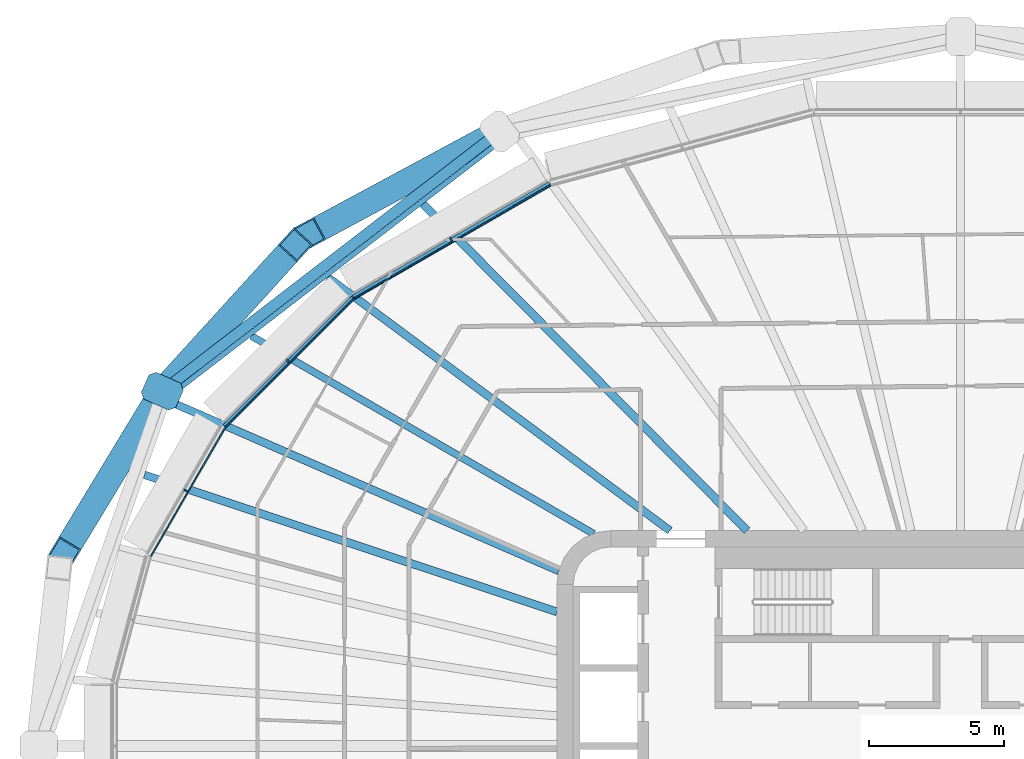
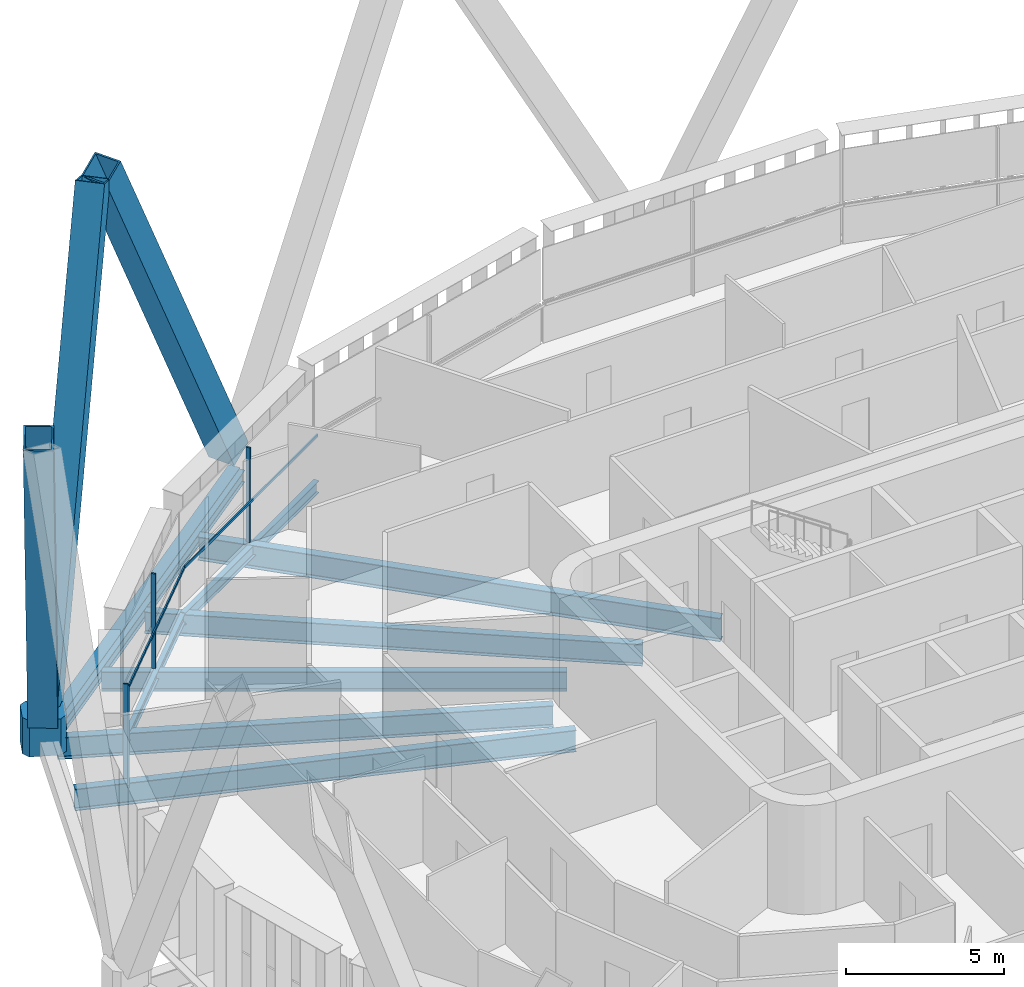
# One storey, part 7 of 25: 10 members, 9 beams, 3 elements without a shape of their own.
"""IFC4 building model written with IfcOpenShell, lengths in metres."""

from ifc_helpers import new_model, si_unit, direction, frame, origin, origin_2d, place, context, subcontext, project, spatial, polyline, rectangle, hollow_rectangle, i_section, outline, extrude, material, layer, layer_set, material_profile, profile_set, type_object, element, aggregate, save


model = new_model("IFC4")

# Units and contexts
model_context = context("Model", 3, precision=1e-05, world=origin(), true_north=direction((0.0, 1.0)))
body_context = subcontext(model_context, "Body", "Model", "MODEL_VIEW")
ifc_project = project(units=[si_unit("LENGTHUNIT", "METRE"), si_unit("AREAUNIT", "SQUARE_METRE"), si_unit("VOLUMEUNIT", "CUBIC_METRE"), si_unit("PLANEANGLEUNIT", "RADIAN"), si_unit("MASSUNIT", "GRAM", prefix="KILO")], contexts=[model_context])

# Site, building, storey
site_placement = place(None, origin())
site = spatial("IfcSite", under=ifc_project, at=site_placement, CompositionType="ELEMENT")
building_placement = place(site_placement, origin())
building = spatial("IfcBuilding", under=site, at=building_placement, Name="Sahrelin Media Tower", CompositionType="ELEMENT")
storey_placement = place(building_placement, frame((0.0, 0.0, 79.800048828125)))
storey = spatial("IfcBuildingStorey", under=building, at=storey_placement, Name="L14", CompositionType="ELEMENT", Elevation=79.800048828125)

# Members
ifc_material_1 = material(Name="Steel S460", Category="steel")
ifc_material_profile_1 = material_profile(ifc_material_1, hollow_rectangle(XDim=0.949951171875, YDim=0.949951171875, WallThickness=0.054931640625, at=origin_2d()), Name="Diagrid diagonal DG2")
ifc_profile_set_1 = profile_set([ifc_material_profile_1], Name="Steel S460")
member_type_1 = type_object("IfcMemberType", Name="Diagrid diagonal DG2", PredefinedType="BRACE", material=ifc_profile_set_1)
member_1_placement = place(storey_placement, frame((-17.43359375, 22.66650390625, 0.699951171875), z_axis=(-0.392849086991, -0.211661810358, 0.894912773898), x_axis=(0.474321630663, -0.880351629001, 0.0)))
element("IfcMember", 1, at=member_1_placement, inside=storey, type_object=member_type_1, Name="Diagrid diagonal D02-08", PredefinedType="BRACE", context=body_context, shape_type="SweptSolid", body=[
    extrude(hollow_rectangle(XDim=0.949951171875, YDim=0.949951171875, WallThickness=0.054931640625, at=origin_2d()), origin(), (0.0, 0.0, 1.0), 17.208251953125),
])
member_2_placement = place(storey_placement, frame((-29.448486328125, 13.41845703125, 0.699951171875), z_axis=(0.279512782361, 0.30735879086, 0.90961705029), x_axis=(-0.739825407154, 0.672798905267, 0.0)))
element("IfcMember", 2, at=member_2_placement, inside=storey, type_object=member_type_1, Name="Diagrid diagonal D02-09", PredefinedType="BRACE", context=body_context, shape_type="SweptSolid", body=[
    extrude(hollow_rectangle(XDim=0.949951171875, YDim=0.949951171875, WallThickness=0.054931640625, at=origin_2d()), origin(), (0.0, 0.0, 1.0), 16.93017578125),
])
member_3_placement = place(storey_placement, frame((-29.822265625, 12.92041015625, 0.699951171875), z_axis=(-0.207569611633, -0.342492038175, 0.916304567332), x_axis=(0.855199293174, -0.518299304413, 0.0)))
element("IfcMember", 3, at=member_3_placement, inside=storey, type_object=member_type_1, Name="Diagrid diagonal D02-10", PredefinedType="BRACE", context=body_context, shape_type="SweptSolid", body=[
    extrude(hollow_rectangle(XDim=0.949951171875, YDim=0.949951171875, WallThickness=0.054931640625, at=origin_2d()), origin(), (0.0, 0.0, 1.0), 16.806640625),
])
ifc_material_profile_2 = material_profile(ifc_material_1, outline(polyline([(0.5, -0.550048828125), (0.699951171875, -0.35009765625), (0.699951171875, 0.35009765625), (0.5, 0.550048828125), (-0.5, 0.550048828125), (-0.699951171875, 0.35009765625), (-0.699951171875, -0.35009765625), (-0.5, -0.550048828125), (0.5, -0.550048828125)])), Name="Diagrid node block 1400")
ifc_profile_set_2 = profile_set([ifc_material_profile_2], Name="Steel S460")
member_type_2 = type_object("IfcMemberType", Name="Diagrid node block 1400", PredefinedType="USERDEFINED", material=ifc_profile_set_2)
member_4_placement = place(storey_placement, frame((-29.66357421875, 13.181884765625, -0.699951171875), z_axis=(0.0, 0.0, 1.0), x_axis=(-0.913832734584, 0.406090794285, 0.0)))
element("IfcMember", 4, at=member_4_placement, inside=storey, type_object=member_type_2, Name="Diagrid node N02-05", ObjectType="NODE", PredefinedType="USERDEFINED", context=body_context, shape_type="SweptSolid", body=[
    extrude(outline(polyline([(0.5, -0.550048828125), (0.699951171875, -0.35009765625), (0.699951171875, 0.35009765625), (0.5, 0.550048828125), (-0.5, 0.550048828125), (-0.699951171875, 0.35009765625), (-0.699951171875, -0.35009765625), (-0.5, -0.550048828125), (0.5, -0.550048828125)])), origin(), (0.0, 0.0, 1.0), 1.39990234375),
])

# Beams
ifc_material_profile_3 = material_profile(ifc_material_1, hollow_rectangle(XDim=0.39990234375, YDim=0.60009765625, WallThickness=0.030029296875, at=origin_2d()), Name="Diagrid ring beam RB1")
ifc_profile_set_3 = profile_set([ifc_material_profile_3], Name="Steel S460")
beam_type_1 = type_object("IfcBeamType", Name="Diagrid ring beam RB1", PredefinedType="BEAM", material=ifc_profile_set_3)
beam_1_placement = place(storey_placement, frame((-17.126220703125, 22.83203125, -0.449951171875), z_axis=(-0.792439810802, -0.609950117843, 0.0), x_axis=(0.609950117843, -0.792439810802, 0.0)))
element("IfcBeam", 5, at=beam_1_placement, inside=storey, type_object=beam_type_1, Name="Diagrid ring beam RB02-04", PredefinedType="BEAM", context=body_context, shape_type="SweptSolid", body=[
    extrude(hollow_rectangle(XDim=0.39990234375, YDim=0.60009765625, WallThickness=0.030029296875, at=origin_2d()), origin(), (0.0, 0.0, 1.0), 15.8212890625),
])
ifc_material_2 = material(Name="Steel S355", Category="steel")
ifc_material_profile_4 = material_profile(ifc_material_2, i_section(OverallWidth=0.17138671875, OverallDepth=0.35498046875, WebThickness=0.00732421875, FlangeThickness=0.011474609375, FilletRadius=0.01025390625, at=origin_2d()), Name="UB 356x171x51")
ifc_profile_set_4 = profile_set([ifc_material_profile_4], Name="Steel S355")
beam_type_2 = type_object("IfcBeamType", Name="Edge beam EB3", PredefinedType="BEAM", material=ifc_profile_set_4)
beam_2_placement = place(storey_placement, frame((-27.34521484375, 11.883056640625, -0.32763671875), z_axis=(0.707106781187, 0.707106781187, 0.0), x_axis=(-0.707106781187, 0.707106781187, 0.0)))
element("IfcBeam", 6, at=beam_2_placement, inside=storey, type_object=beam_type_2, Name="Edge beam L14-16", PredefinedType="BEAM", context=body_context, shape_type="SweptSolid", body=[
    extrude(i_section(OverallWidth=0.17138671875, OverallDepth=0.35498046875, WebThickness=0.00732421875, FlangeThickness=0.011474609375, FilletRadius=0.01025390625, at=origin_2d()), origin(), (0.0, 0.0, 1.0), 6.743408203125),
])
ifc_material_profile_5 = material_profile(ifc_material_2, i_section(OverallWidth=0.1904296875, OverallDepth=0.45703125, WebThickness=0.009033203125, FlangeThickness=0.014404296875, FilletRadius=0.01025390625, at=origin_2d()), Name="UB 457x191x74")
ifc_profile_set_5 = profile_set([ifc_material_profile_5], Name="Steel S355")
beam_type_3 = type_object("IfcBeamType", Name="Edge beam EB5", PredefinedType="BEAM", material=ifc_profile_set_5)
beam_3_placement = place(storey_placement, frame((-22.55419921875, 16.6689453125, -0.378662109375), z_axis=(0.866028760111, 0.499994186627, 0.0), x_axis=(-0.499994186627, 0.866028760111, 0.0)))
element("IfcBeam", 7, at=beam_3_placement, inside=storey, type_object=beam_type_3, Name="Edge beam L14-17", PredefinedType="BEAM", context=body_context, shape_type="SweptSolid", body=[
    extrude(i_section(OverallWidth=0.1904296875, OverallDepth=0.45703125, WebThickness=0.009033203125, FlangeThickness=0.014404296875, FilletRadius=0.01025390625, at=origin_2d()), origin(), (0.0, 0.0, 1.0), 8.42529296875),
])

# Curtain wall, member
ifc_material_3 = material(Name="Champagne anodised aluminium 6063-T6", Category="aluminium")
ifc_layer = layer(ifc_material_3, 0.14990234375)
ifc_layer_set = layer_set([ifc_layer], Name="Tower ribbon curtain wall")
curtain_wall_type = type_object("IfcCurtainWallType", Name="Tower ribbon curtain wall", PredefinedType="NOTDEFINED", material=ifc_layer_set)
curtain_wall_1_placement = place(storey_placement, frame((-18.98095703125, 18.9052734375, 0.0), z_axis=(0.0, 0.0, 1.0), x_axis=(1.0, 0.0, 0.0)))
curtain_wall_1 = element("IfcCurtainWall", 8, at=curtain_wall_1_placement, inside=storey, type_object=curtain_wall_type, Name="L14:CW:L14-08", PredefinedType="NOTDEFINED")
ifc_material_profile_6 = material_profile(ifc_material_3, rectangle(XDim=0.06005859375, YDim=0.14990234375, at=origin_2d()), Name="Mullion 60x150")
ifc_profile_set_6 = profile_set([ifc_material_profile_6], Name="Champagne anodised aluminium 6063-T6")
member_type_3 = type_object("IfcMemberType", Name="Mullion 60x150 CW1", PredefinedType="MULLION", material=ifc_profile_set_6)
member_5_placement = place(storey_placement, frame((-18.933349609375, 18.822998046875, 0.0), z_axis=(0.0, 0.0, 1.0), x_axis=(-0.866027149108, -0.499996976998, 0.0)))
member_5 = element("IfcMember", 9, at=member_5_placement, type_object=member_type_3, Name="L14:CWM:L14-08", PredefinedType="MULLION", context=body_context, shape_type="SweptSolid", body=[
    extrude(rectangle(XDim=0.06005859375, YDim=0.14990234375, at=origin_2d()), origin(), (0.0, 0.0, 1.0), 3.6484375),
])

curtain_wall_2_placement = place(storey_placement, frame((-25.067138671875, 14.373291015625, 0.0), z_axis=(0.0, 0.0, 1.0), x_axis=(1.0, 0.0, 0.0)))
curtain_wall_2 = element("IfcCurtainWall", 10, at=curtain_wall_2_placement, inside=storey, type_object=curtain_wall_type, Name="L14:CW:L14-09", PredefinedType="NOTDEFINED")
member_6_placement = place(storey_placement, frame((-25.0, 14.30615234375, 0.0), z_axis=(0.0, 0.0, 1.0), x_axis=(-0.707106781187, -0.707106781187, 0.0)))
member_6 = element("IfcMember", 11, at=member_6_placement, type_object=member_type_3, Name="L14:CWM:L14-09", PredefinedType="MULLION", context=body_context, shape_type="SweptSolid", body=[
    extrude(rectangle(XDim=0.06005859375, YDim=0.14990234375, at=origin_2d()), origin(), (0.0, 0.0, 1.0), 3.6484375),
])

curtain_wall_3_placement = place(storey_placement, frame((-28.876708984375, 9.537841796875, 0.0), z_axis=(0.0, 0.0, 1.0), x_axis=(1.0, 0.0, 0.0)))
curtain_wall_3 = element("IfcCurtainWall", 12, at=curtain_wall_3_placement, inside=storey, type_object=curtain_wall_type, Name="L14:CW:L14-10", PredefinedType="NOTDEFINED")
member_7_placement = place(storey_placement, frame((-28.79443359375, 9.490478515625, 0.0), z_axis=(0.0, 0.0, 1.0), x_axis=(-0.5, -0.866025403784, 0.0)))
member_7 = element("IfcMember", 13, at=member_7_placement, type_object=member_type_3, Name="L14:CWM:L14-10", PredefinedType="MULLION", context=body_context, shape_type="SweptSolid", body=[
    extrude(rectangle(XDim=0.06005859375, YDim=0.14990234375, at=origin_2d()), origin(), (0.0, 0.0, 1.0), 3.6484375),
])

# Beams
ifc_material_profile_7 = material_profile(ifc_material_2, i_section(OverallWidth=0.291748046875, OverallDepth=0.8349609375, WebThickness=0.013916015625, FlangeThickness=0.018798828125, FilletRadius=0.017822265625, at=origin_2d()), Name="UB 838x292x176")
ifc_profile_set_7 = profile_set([ifc_material_profile_7], Name="Steel S355")
beam_type_4 = type_object("IfcBeamType", Name="Radial primary beam PB10", PredefinedType="BEAM", material=ifc_profile_set_7)
beam_4_placement = place(storey_placement, frame((-10.8017578125, 8.0, -0.567626953125), z_axis=(-0.803598471395, 0.595171821218, 0.0), x_axis=(-0.595171821218, -0.803598471395, 0.0)))
element("IfcBeam", 14, at=beam_4_placement, inside=storey, type_object=beam_type_4, Name="Radial beam L14-09", PredefinedType="BEAM", context=body_context, shape_type="SweptSolid", body=[
    extrude(i_section(OverallWidth=0.291748046875, OverallDepth=0.8349609375, WebThickness=0.013916015625, FlangeThickness=0.018798828125, FilletRadius=0.017822265625, at=origin_2d()), origin(), (0.0, 0.0, 1.0), 15.8203125),
])
beam_5_placement = place(storey_placement, frame((-14.933837890625, 6.50341796875, -0.567626953125), z_axis=(-0.916840562367, 0.399253532482, 0.0), x_axis=(-0.399253532482, -0.916840562367, 0.0)))
element("IfcBeam", 15, at=beam_5_placement, inside=storey, type_object=beam_type_4, Name="Radial beam L14-10", PredefinedType="BEAM", context=body_context, shape_type="SweptSolid", body=[
    extrude(i_section(OverallWidth=0.291748046875, OverallDepth=0.8349609375, WebThickness=0.013916015625, FlangeThickness=0.018798828125, FilletRadius=0.017822265625, at=origin_2d()), origin(), (0.0, 0.0, 1.0), 15.75634765625),
])
ifc_material_profile_8 = material_profile(ifc_material_2, i_section(OverallWidth=0.291748046875, OverallDepth=0.8349609375, WebThickness=0.013916015625, FlangeThickness=0.018798828125, FilletRadius=0.017822265625, at=origin_2d()), Name="UB 838x292x176")
ifc_profile_set_8 = profile_set([ifc_material_profile_8], Name="Steel S355")
beam_type_5 = type_object("IfcBeamType", Name="Radial secondary beam SB10", PredefinedType="BEAM", material=ifc_profile_set_8)
beam_6_placement = place(storey_placement, frame((-15.0, 4.982421875, -0.567626953125), z_axis=(-0.949016844351, 0.31522536246, 0.0), x_axis=(-0.31522536246, -0.949016844351, 0.0)))
element("IfcBeam", 16, at=beam_6_placement, inside=storey, type_object=beam_type_5, Name="Secondary beam L14-10", PredefinedType="BEAM", context=body_context, shape_type="SweptSolid", body=[
    extrude(i_section(OverallWidth=0.291748046875, OverallDepth=0.8349609375, WebThickness=0.013916015625, FlangeThickness=0.018798828125, FilletRadius=0.017822265625, at=origin_2d()), origin(), (0.0, 0.0, 1.0), 16.150634765625),
])
ifc_material_profile_9 = material_profile(ifc_material_2, i_section(OverallWidth=0.30322265625, OverallDepth=0.903076171875, WebThickness=0.01513671875, FlangeThickness=0.020263671875, FilletRadius=0.01904296875, at=origin_2d()), Name="UB 914x305x201")
ifc_profile_set_9 = profile_set([ifc_material_profile_9], Name="Steel S355")
beam_type_6 = type_object("IfcBeamType", Name="Radial secondary beam SB11", PredefinedType="BEAM", material=ifc_profile_set_9)
beam_7_placement = place(storey_placement, frame((-7.93310546875, 8.0, -0.6015625), z_axis=(-0.704137932596, 0.710063216819, 0.0), x_axis=(-0.710063216819, -0.704137932596, 0.0)))
element("IfcBeam", 17, at=beam_7_placement, inside=storey, type_object=beam_type_6, Name="Secondary beam L14-08", PredefinedType="BEAM", context=body_context, shape_type="SweptSolid", body=[
    extrude(i_section(OverallWidth=0.30322265625, OverallDepth=0.903076171875, WebThickness=0.01513671875, FlangeThickness=0.020263671875, FilletRadius=0.01904296875, at=origin_2d()), origin(), (0.0, 0.0, 1.0), 17.099365234375),
])
ifc_material_profile_10 = material_profile(ifc_material_2, i_section(OverallWidth=0.26513671875, OverallDepth=0.75390625, WebThickness=0.0126953125, FlangeThickness=0.017578125, FilletRadius=0.0166015625, at=origin_2d()), Name="UB 762x267x147")
ifc_profile_set_10 = profile_set([ifc_material_profile_10], Name="Steel S355")
beam_type_7 = type_object("IfcBeamType", Name="Radial secondary beam SB9", PredefinedType="BEAM", material=ifc_profile_set_10)
beam_8_placement = place(storey_placement, frame((-13.63720703125, 7.88232421875, -0.527099609375), z_axis=(-0.865780409696, 0.500424102323, 0.0), x_axis=(-0.500424102323, -0.865780409696, 0.0)))
element("IfcBeam", 18, at=beam_8_placement, inside=storey, type_object=beam_type_7, Name="Secondary beam L14-09", PredefinedType="BEAM", context=body_context, shape_type="SweptSolid", body=[
    extrude(i_section(OverallWidth=0.26513671875, OverallDepth=0.75390625, WebThickness=0.0126953125, FlangeThickness=0.017578125, FilletRadius=0.0166015625, at=origin_2d()), origin(), (0.0, 0.0, 1.0), 14.686279296875),
])
ifc_material_profile_11 = material_profile(ifc_material_2, i_section(OverallWidth=0.1904296875, OverallDepth=0.45703125, WebThickness=0.009033203125, FlangeThickness=0.014404296875, FilletRadius=0.01025390625, at=origin_2d()), Name="UB 457x191x74")
ifc_profile_set_11 = profile_set([ifc_material_profile_11], Name="Steel S355")
beam_type_8 = type_object("IfcBeamType", Name="Tie chord TC5", PredefinedType="BEAM", material=ifc_profile_set_11)
beam_9_placement = place(storey_placement, frame((-29.409423828125, 12.998779296875, -0.378662109375), z_axis=(0.792438521011, 0.60995179352, 0.0), x_axis=(-0.60995179352, 0.792438521011, 0.0)))
element("IfcBeam", 19, at=beam_9_placement, inside=storey, type_object=beam_type_8, Name="Tie chord L14-08", PredefinedType="BEAM", context=body_context, shape_type="SweptSolid", body=[
    extrude(i_section(OverallWidth=0.1904296875, OverallDepth=0.45703125, WebThickness=0.009033203125, FlangeThickness=0.014404296875, FilletRadius=0.01025390625, at=origin_2d()), origin(), (0.0, 0.0, 1.0), 15.662353515625),
])

# Member
ifc_material_profile_12 = material_profile(ifc_material_3, rectangle(XDim=0.050048828125, YDim=0.10009765625, at=origin_2d()), Name="Transom 50x100")
ifc_profile_set_12 = profile_set([ifc_material_profile_12], Name="Champagne anodised aluminium 6063-T6")
member_type_4 = type_object("IfcMemberType", Name="Transom 50x100 CW1", PredefinedType="USERDEFINED", material=ifc_profile_set_12)
member_8_placement = place(storey_placement, frame((-15.248779296875, 20.834716796875, 1.599853515625), z_axis=(-0.866020419704, -0.500008632582, 0.0), x_axis=(0.500008632582, -0.866020419704, 0.0)))
member_8 = element("IfcMember", 20, at=member_8_placement, type_object=member_type_4, Name="L14:CWT:L14-08", ObjectType="TRANSOM", PredefinedType="USERDEFINED", context=body_context, shape_type="SweptSolid", body=[
    extrude(rectangle(XDim=0.050048828125, YDim=0.10009765625, at=origin_2d()), origin(), (0.0, 0.0, 1.0), 8.393798828125),
])

aggregate(curtain_wall_1, [member_5, member_8])

member_9_placement = place(storey_placement, frame((-22.556396484375, 16.6083984375, 1.599853515625), z_axis=(-0.707106781187, -0.707106781187, 0.0), x_axis=(0.707106781187, -0.707106781187, 0.0)))
member_9 = element("IfcMember", 21, at=member_9_placement, type_object=member_type_4, Name="L14:CWT:L14-09", ObjectType="TRANSOM", PredefinedType="USERDEFINED", context=body_context, shape_type="SweptSolid", body=[
    extrude(rectangle(XDim=0.050048828125, YDim=0.10009765625, at=origin_2d()), origin(), (0.0, 0.0, 1.0), 6.7119140625),
])

aggregate(curtain_wall_2, [member_6, member_9])

member_10_placement = place(storey_placement, frame((-27.331787109375, 11.82421875, 1.599853515625), z_axis=(-0.499969440488, -0.866043046608, 0.0), x_axis=(0.866043046608, -0.499969440488, 0.0)))
member_10 = element("IfcMember", 22, at=member_10_placement, type_object=member_type_4, Name="L14:CWT:L14-10", ObjectType="TRANSOM", PredefinedType="USERDEFINED", context=body_context, shape_type="SweptSolid", body=[
    extrude(rectangle(XDim=0.050048828125, YDim=0.10009765625, at=origin_2d()), origin(), (0.0, 0.0, 1.0), 5.504638671875),
])

aggregate(curtain_wall_3, [member_7, member_10])

save(model, "model.ifc")
